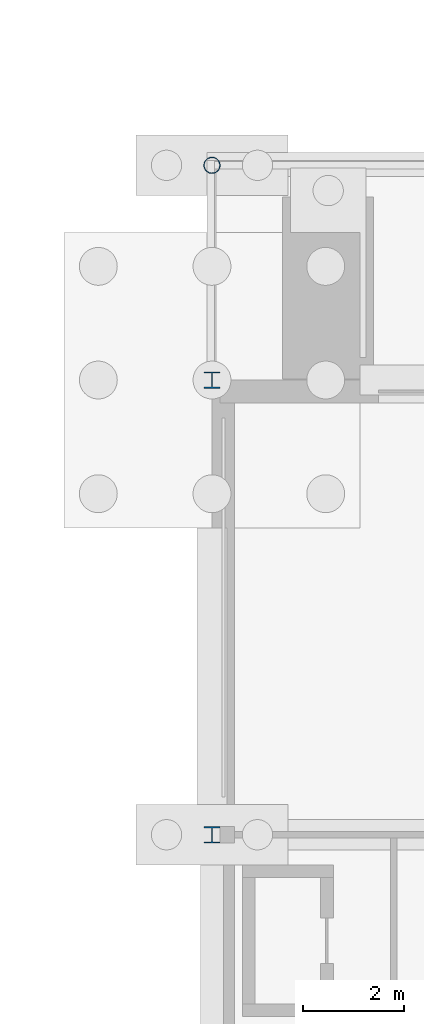
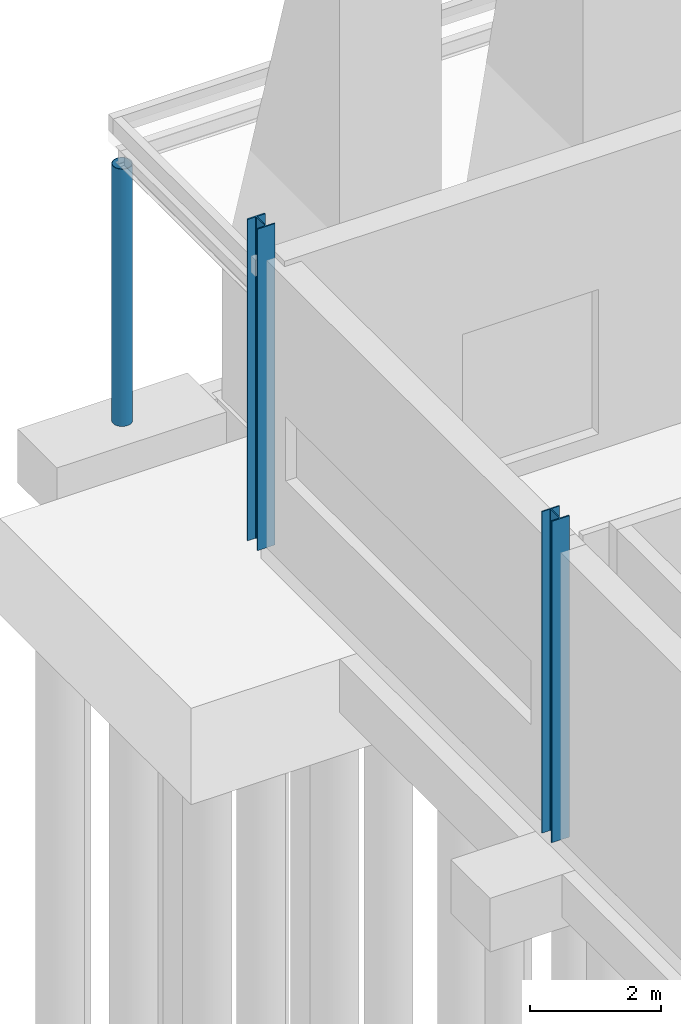
# One storey, part 26 of 139: 3 columns.
"""IFC4 building model written with IfcOpenShell, lengths in metres."""

from ifc_helpers import new_model, si_unit, direction, frame, origin, origin_2d, place, context, subcontext, project, spatial, hollow_circle, i_section, extrude, material, material_profile, profile_set, type_object, element, save


model = new_model("IFC4")

# Units and contexts
model_context = context("Model", 3, precision=1e-05, world=origin(), true_north=direction((0.0, 1.0)))
body_context = subcontext(model_context, "Body", "Model", "MODEL_VIEW")
ifc_project = project(units=[si_unit("LENGTHUNIT", "METRE"), si_unit("AREAUNIT", "SQUARE_METRE"), si_unit("VOLUMEUNIT", "CUBIC_METRE"), si_unit("PLANEANGLEUNIT", "RADIAN"), si_unit("MASSUNIT", "GRAM", prefix="KILO")], contexts=[model_context])

# Site, building, storey
site_placement = place(None, origin())
site = spatial("IfcSite", under=ifc_project, at=site_placement, CompositionType="ELEMENT")
building_placement = place(site_placement, origin())
building = spatial("IfcBuilding", under=site, at=building_placement, Name="Shorebreak Coast Museum", CompositionType="ELEMENT")
storey_placement = place(building_placement, origin())
storey = spatial("IfcBuildingStorey", under=building, at=storey_placement, Name="L00", CompositionType="ELEMENT", Elevation=0.0)

# Columns
ifc_material_1 = material(Name="Steel Grade C350L0", Category="steel")
ifc_material_profile_1 = material_profile(ifc_material_1, hollow_circle(Radius=0.161865234375, WallThickness=0.009521484375, at=origin_2d()), Name="323.9x9.5 CHS")
ifc_profile_set_1 = profile_set([ifc_material_profile_1], Name="Steel Grade C350L0")
column_type_1 = type_object("IfcColumnType", Name="Arcade column 323.9x9.5 CHS", PredefinedType="COLUMN", material=ifc_profile_set_1)
column_1_placement = place(storey_placement, frame((54.0, 121.25, -0.300048828125), z_axis=(0.0, 0.0, 1.0), x_axis=(1.0, 0.0, 0.0)))
element("IfcColumn", 1, at=column_1_placement, inside=storey, type_object=column_type_1, Name="Arcade column north 1", PredefinedType="COLUMN", context=body_context, shape_type="SweptSolid", body=[
    extrude(hollow_circle(Radius=0.161865234375, WallThickness=0.009521484375, at=origin_2d()), origin(), (0.0, 0.0, 1.0), 4.802001953125),
])
ifc_material_2 = material(Name="Steel Grade 300", Category="steel")
ifc_material_profile_2 = material_profile(ifc_material_2, i_section(OverallWidth=0.30908203125, OverallDepth=0.320556640625, WebThickness=0.013916015625, FlangeThickness=0.021728515625, FilletRadius=0.0166015625, at=origin_2d()), Name="310UC137")
ifc_profile_set_2 = profile_set([ifc_material_profile_2], Name="Steel Grade 300")
column_type_2 = type_object("IfcColumnType", Name="Column 310UC137", PredefinedType="COLUMN", material=ifc_profile_set_2)
column_2_placement = place(storey_placement, frame((54.0, 108.0, 0.0), z_axis=(0.0, 0.0, 1.0), x_axis=(1.0, 0.0, 0.0)))
element("IfcColumn", 2, at=column_2_placement, inside=storey, type_object=column_type_2, Name="Column L00 7N", PredefinedType="COLUMN", context=body_context, shape_type="SweptSolid", body=[
    extrude(i_section(OverallWidth=0.30908203125, OverallDepth=0.320556640625, WebThickness=0.013916015625, FlangeThickness=0.021728515625, FilletRadius=0.0166015625, at=origin_2d()), origin(), (0.0, 0.0, 1.0), 6.0),
])
ifc_material_3 = material(Name="Steel Grade 300", Category="steel")
ifc_material_profile_3 = material_profile(ifc_material_3, i_section(OverallWidth=0.31103515625, OverallDepth=0.3271484375, WebThickness=0.015625, FlangeThickness=0.02490234375, FilletRadius=0.0166015625, at=origin_2d()), Name="310UC158")
ifc_profile_set_3 = profile_set([ifc_material_profile_3], Name="Steel Grade 300")
column_type_3 = type_object("IfcColumnType", Name="Column 310UC158", PredefinedType="COLUMN", material=ifc_profile_set_3)
column_3_placement = place(storey_placement, frame((54.0, 117.0, 0.0), z_axis=(0.0, 0.0, 1.0), x_axis=(1.0, 0.0, 0.0)))
element("IfcColumn", 3, at=column_3_placement, inside=storey, type_object=column_type_3, Name="Column L00 7P", PredefinedType="COLUMN", context=body_context, shape_type="SweptSolid", body=[
    extrude(i_section(OverallWidth=0.31103515625, OverallDepth=0.3271484375, WebThickness=0.015625, FlangeThickness=0.02490234375, FilletRadius=0.0166015625, at=origin_2d()), origin(), (0.0, 0.0, 1.0), 6.0),
])

save(model, "model.ifc")
